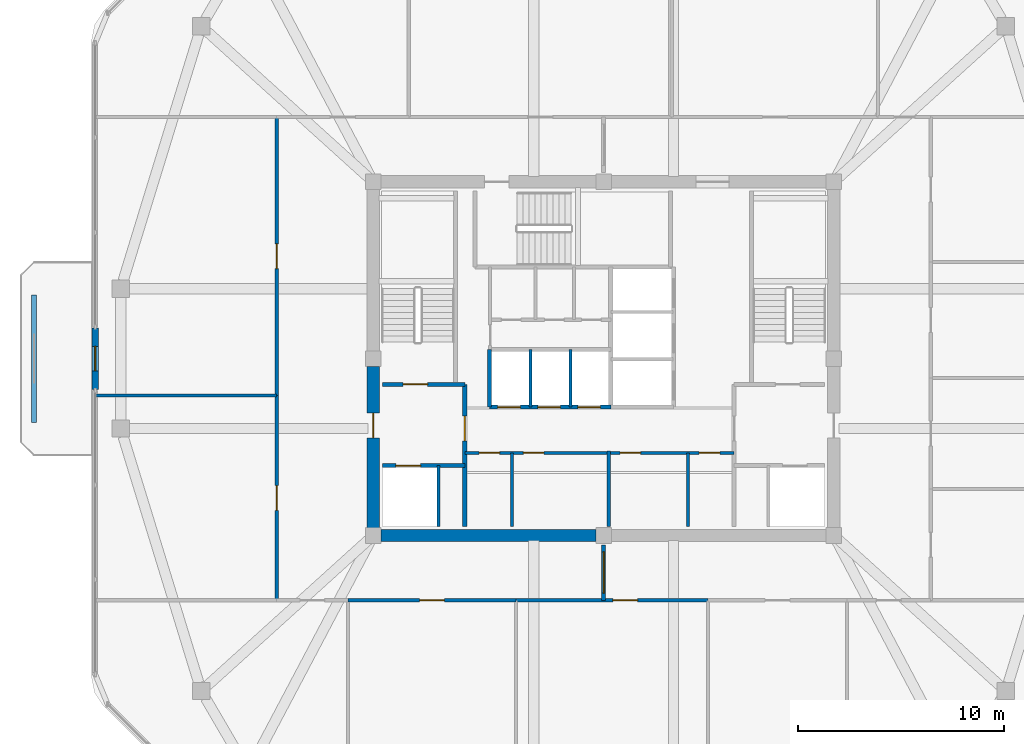
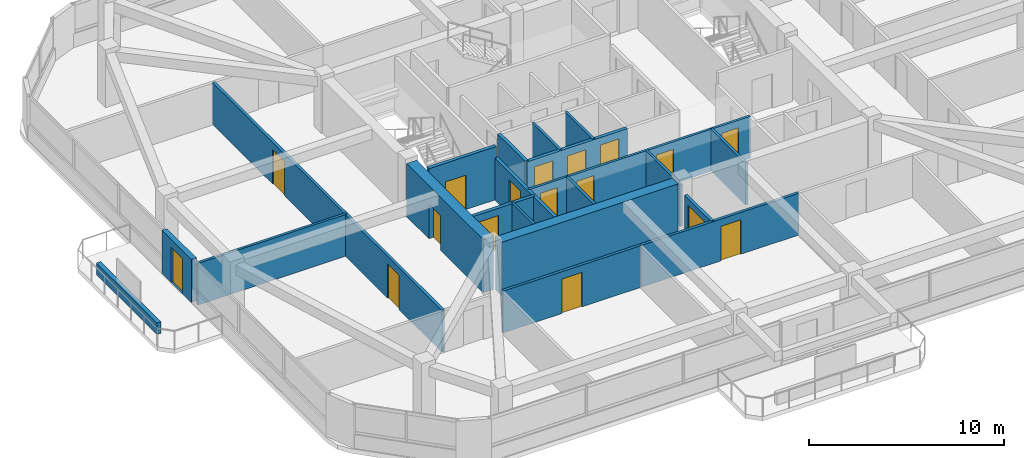
# One storey, part 8 of 12: 23 walls, 17 doors, 17 openings.
"""IFC4 building model written with IfcOpenShell, lengths in metres."""

from ifc_helpers import new_model, si_unit, derived_unit, direction, frame, frame_2d, origin, place, context, subcontext, project, spatial, rectangle, extrude, material, layer, layer_set, type_object, element, fill, save


model = new_model("IFC4")

# Units and contexts
model_context = context("Model", 3, precision=1e-05, world=origin(), true_north=direction((0.0, 1.0)))
body_context = subcontext(model_context, "Body", "Model", "MODEL_VIEW")
ifc_project = project(units=[si_unit("LENGTHUNIT", "METRE"), si_unit("AREAUNIT", "SQUARE_METRE"), si_unit("VOLUMEUNIT", "CUBIC_METRE"), si_unit("PLANEANGLEUNIT", "RADIAN"), si_unit("MASSUNIT", "GRAM", prefix="KILO"), derived_unit("THERMALTRANSMITTANCEUNIT", [(si_unit("POWERUNIT", "WATT"), 1), (si_unit("LENGTHUNIT", "METRE"), -2), (si_unit("THERMODYNAMICTEMPERATUREUNIT", "KELVIN"), -1)])], contexts=[model_context])

# Site, building, storey
site_placement = place(None, origin())
site = spatial("IfcSite", under=ifc_project, at=site_placement, CompositionType="ELEMENT")
building_placement = place(site_placement, origin())
building = spatial("IfcBuilding", under=site, at=building_placement, Name="Koralith Skygarden Medical Center", CompositionType="ELEMENT")
storey_placement = place(building_placement, frame((0.0, 0.0, 278.820068359375)))
storey = spatial("IfcBuildingStorey", under=building, at=storey_placement, Name="L72", CompositionType="ELEMENT", Elevation=278.820068359375)

# Wall, openings, doors
ifc_material_1 = material(Name="Gypsum Board Partition")
ifc_layer_1 = layer(ifc_material_1, 0.14990234375)
ifc_layer_set_1 = layer_set([ifc_layer_1], Name="Gypsum Board Partition")
wall_type_1 = type_object("IfcWallType", Name="Clinical Acoustic Partition 150", PredefinedType="PARTITIONING", material=ifc_layer_set_1)
wall_1_placement = place(storey_placement, frame((30.25, 21.320068359375, 0.0), z_axis=(0.0, 0.0, 1.0), x_axis=(1.0, 0.0, 0.0)))
wall_1 = element("IfcWall", 1, at=wall_1_placement, inside=storey, type_object=wall_type_1, Name="L72 Clinical Acoustic Partition 150 W-CORE-L72-FREED-LR-N", PredefinedType="PARTITIONING", context=body_context, shape_type="SweptSolid", body=[
    extrude(rectangle(XDim=7.0, YDim=0.14990234375, at=frame_2d((3.5, 0.0))), origin(), (0.0, 0.0, 1.0), 2.60986328125),
])
opening_1_placement = place(wall_1_placement, frame((0.699951171875, 0.0, 0.0)))
opening_1 = element("IfcOpeningElement", 2, at=opening_1_placement, cuts=wall_1, Name="Opening D-SUP", PredefinedType="OPENING", context=body_context, shape_type="SweptSolid", body=[
    extrude(rectangle(XDim=1.0, YDim=2.14990234375, at=frame_2d((0.5, 1.074951171875))), frame((0.0, 0.0849609375, 0.0), z_axis=(0.0, -1.0, 0.0), x_axis=(1.0, 0.0, 0.0)), (0.0, 0.0, 1.0), 0.169921875),
])
opening_2_placement = place(wall_1_placement, frame((2.85009765625, 0.0, 0.0)))
opening_2 = element("IfcOpeningElement", 3, at=opening_2_placement, cuts=wall_1, Name="Opening D-SUP", PredefinedType="OPENING", context=body_context, shape_type="SweptSolid", body=[
    extrude(rectangle(XDim=1.0, YDim=2.14990234375, at=frame_2d((0.5, 1.074951171875))), frame((0.0, 0.0849609375, 0.0), z_axis=(0.0, -1.0, 0.0), x_axis=(1.0, 0.0, 0.0)), (0.0, 0.0, 1.0), 0.169921875),
])
ifc_material_2 = material(Name="Aluminium 6063-T6", Category="aluminium")
door_type_1 = type_object("IfcDoorType", Name="Clinical Support Door D-SUP 1000", OperationType="NOTDEFINED", PredefinedType="DOOR", material=ifc_material_2)
door_1_placement = place(opening_1_placement, frame((1.0, 0.0, 0.0), z_axis=(0.0, 0.0, 1.0), x_axis=(-1.0, 0.0, 0.0)))
door_1 = element("IfcDoor", 4, at=door_1_placement, inside=storey, type_object=door_type_1, Name="L72 Medication Preparation Door", OperationType="SINGLE_SWING_LEFT", OverallHeight=2.14990234375, OverallWidth=1.0, PredefinedType="DOOR", context=body_context, shape_type="SweptSolid", body=[
    extrude(rectangle(XDim=1.0, YDim=2.14990234375, at=frame_2d((0.5, 1.074951171875))), frame((0.0, 0.02490234375, 0.0), z_axis=(0.0, -1.0, 0.0), x_axis=(1.0, 0.0, 0.0)), (0.0, 0.0, 1.0), 0.050048828125),
])
fill(opening_1, door_1)
door_2_placement = place(opening_2_placement, frame((1.0, 0.0, 0.0), z_axis=(0.0, 0.0, 1.0), x_axis=(-1.0, 0.0, 0.0)))
door_2 = element("IfcDoor", 5, at=door_2_placement, inside=storey, type_object=door_type_1, Name="L72 Telemetry Room Door", OperationType="SINGLE_SWING_RIGHT", OverallHeight=2.14990234375, OverallWidth=1.0, PredefinedType="DOOR", context=body_context, shape_type="SweptSolid", body=[
    extrude(rectangle(XDim=1.0, YDim=2.14990234375, at=frame_2d((0.5, 1.074951171875))), frame((0.0, 0.02490234375, 0.0), z_axis=(0.0, -1.0, 0.0), x_axis=(1.0, 0.0, 0.0)), (0.0, 0.0, 1.0), 0.050048828125),
])
fill(opening_2, door_2)

# Wall
wall_2_placement = place(storey_placement, frame((32.550048828125, 17.75, 0.0), z_axis=(0.0, 0.0, 1.0), x_axis=(0.0, 1.0, 0.0)))
element("IfcWall", 6, at=wall_2_placement, inside=storey, type_object=wall_type_1, Name="L72 Clinical Acoustic Partition 150 W-CORE-L72-FREED-LR-M", PredefinedType="PARTITIONING", context=body_context, shape_type="SweptSolid", body=[
    extrude(rectangle(XDim=3.570068359375, YDim=0.14990234375, at=frame_2d((1.78515625, 0.0))), origin(), (0.0, 0.0, 1.0), 2.60986328125),
])

# Wall, openings, doors
wall_3_placement = place(storey_placement, frame((37.25, 21.320068359375, 0.0), z_axis=(0.0, 0.0, 1.0), x_axis=(1.0, 0.0, 0.0)))
wall_3 = element("IfcWall", 7, at=wall_3_placement, inside=storey, type_object=wall_type_1, Name="L72 Clinical Acoustic Partition 150 W-CORE-L72-FREED-MR-N", PredefinedType="PARTITIONING", context=body_context, shape_type="SweptSolid", body=[
    extrude(rectangle(XDim=6.10009765625, YDim=0.14990234375, at=frame_2d((3.050048828125, 0.0))), origin(), (0.0, 0.0, 1.0), 2.60986328125),
])
opening_3_placement = place(wall_3_placement, frame((0.550048828125, 0.0, 0.0)))
opening_3 = element("IfcOpeningElement", 8, at=opening_3_placement, cuts=wall_3, Name="Opening D-SUP", PredefinedType="OPENING", context=body_context, shape_type="SweptSolid", body=[
    extrude(rectangle(XDim=1.0, YDim=2.14990234375, at=frame_2d((0.5, 1.074951171875))), frame((0.0, 0.0849609375, 0.0), z_axis=(0.0, -1.0, 0.0), x_axis=(1.0, 0.0, 0.0)), (0.0, 0.0, 1.0), 0.169921875),
])
opening_4_placement = place(wall_3_placement, frame((4.39990234375, 0.0, 0.0)))
opening_4 = element("IfcOpeningElement", 9, at=opening_4_placement, cuts=wall_3, Name="Opening D-SUP", PredefinedType="OPENING", context=body_context, shape_type="SweptSolid", body=[
    extrude(rectangle(XDim=1.0, YDim=2.14990234375, at=frame_2d((0.5, 1.074951171875))), frame((0.0, 0.0849609375, 0.0), z_axis=(0.0, -1.0, 0.0), x_axis=(1.0, 0.0, 0.0)), (0.0, 0.0, 1.0), 0.169921875),
])
door_3_placement = place(opening_3_placement, frame((1.0, 0.0, 0.0), z_axis=(0.0, 0.0, 1.0), x_axis=(-1.0, 0.0, 0.0)))
door_3 = element("IfcDoor", 10, at=door_3_placement, inside=storey, type_object=door_type_1, Name="L72 Satellite Pharmacy Door", OperationType="SINGLE_SWING_LEFT", OverallHeight=2.14990234375, OverallWidth=1.0, PredefinedType="DOOR", context=body_context, shape_type="SweptSolid", body=[
    extrude(rectangle(XDim=1.0, YDim=2.14990234375, at=frame_2d((0.5, 1.074951171875))), frame((0.0, 0.02490234375, 0.0), z_axis=(0.0, -1.0, 0.0), x_axis=(1.0, 0.0, 0.0)), (0.0, 0.0, 1.0), 0.050048828125),
])
fill(opening_3, door_3)
door_4_placement = place(opening_4_placement, frame((1.0, 0.0, 0.0), z_axis=(0.0, 0.0, 1.0), x_axis=(-1.0, 0.0, 0.0)))
door_4 = element("IfcDoor", 11, at=door_4_placement, inside=storey, type_object=door_type_1, Name="L72 Biomedical Equipment Door", OperationType="SINGLE_SWING_RIGHT", OverallHeight=2.14990234375, OverallWidth=1.0, PredefinedType="DOOR", context=body_context, shape_type="SweptSolid", body=[
    extrude(rectangle(XDim=1.0, YDim=2.14990234375, at=frame_2d((0.5, 1.074951171875))), frame((0.0, 0.02490234375, 0.0), z_axis=(0.0, -1.0, 0.0), x_axis=(1.0, 0.0, 0.0)), (0.0, 0.0, 1.0), 0.050048828125),
])
fill(opening_4, door_4)

# Walls
wall_4_placement = place(storey_placement, frame((41.10009765625, 17.75, 0.0), z_axis=(0.0, 0.0, 1.0), x_axis=(0.0, 1.0, 0.0)))
element("IfcWall", 12, at=wall_4_placement, inside=storey, type_object=wall_type_1, Name="L72 Clinical Acoustic Partition 150 W-CORE-L72-FREED-MR-M", PredefinedType="PARTITIONING", context=body_context, shape_type="SweptSolid", body=[
    extrude(rectangle(XDim=3.570068359375, YDim=0.14990234375, at=frame_2d((1.78515625, 0.0))), origin(), (0.0, 0.0, 1.0), 2.60986328125),
])
wall_5_placement = place(storey_placement, frame((21.10009765625, 24.10009765625, 0.0), z_axis=(0.0, 0.0, 1.0), x_axis=(-1.0, 0.0, 0.0)))
element("IfcWall", 13, at=wall_5_placement, inside=storey, type_object=wall_type_1, Name="L72 Clinical Acoustic Partition 150 W-PART-L72-W-01", PredefinedType="PARTITIONING", context=body_context, shape_type="SweptSolid", body=[
    extrude(rectangle(XDim=8.800048828125, YDim=0.14990234375, at=frame_2d((4.39990234375, 0.0))), origin(), (0.0, 0.0, 1.0), 2.60986328125),
])

# Wall, opening, door
ifc_layer_2 = layer(ifc_material_1, 0.1650390625)
ifc_layer_set_2 = layer_set([ifc_layer_2], Name="Gypsum Board Partition")
wall_type_2 = type_object("IfcWallType", Name="Clinical Corridor Partition 165", PredefinedType="PARTITIONING", material=ifc_layer_set_2)
wall_6_placement = place(storey_placement, frame((24.58203125, 14.14990234375, 0.0), z_axis=(0.0, 0.0, 1.0), x_axis=(1.0, 0.0, 0.0)))
wall_6 = element("IfcWall", 14, at=wall_6_placement, inside=storey, type_object=wall_type_2, Name="L72 Clinical Corridor Partition 165 W-CORR-L72-S-02", PredefinedType="PARTITIONING", context=body_context, shape_type="SweptSolid", body=[
    extrude(rectangle(XDim=8.156005859375, YDim=0.1650390625, at=frame_2d((4.078125, 0.0))), origin(), (0.0, 0.0, 1.0), 2.60986328125),
])
opening_5_placement = place(wall_6_placement, frame((3.47802734375, 0.0, 0.0)))
opening_5 = element("IfcOpeningElement", 15, at=opening_5_placement, cuts=wall_6, Name="Opening D-CLN", PredefinedType="OPENING", context=body_context, shape_type="SweptSolid", body=[
    extrude(rectangle(XDim=1.199951171875, YDim=2.14990234375, at=frame_2d((0.60009765625, 1.074951171875))), frame((0.0, 0.092529296875, 0.0), z_axis=(0.0, -1.0, 0.0), x_axis=(1.0, 0.0, 0.0)), (0.0, 0.0, 1.0), 0.18505859375),
])
door_type_2 = type_object("IfcDoorType", Name="Clinical Corridor Door D-CLN 1200", OperationType="NOTDEFINED", PredefinedType="DOOR", material=ifc_material_2)
door_5_placement = place(opening_5_placement, frame((1.199951171875, 0.0, 0.0), z_axis=(0.0, 0.0, 1.0), x_axis=(-1.0, 0.0, 0.0)))
door_5 = element("IfcDoor", 16, at=door_5_placement, inside=storey, type_object=door_type_2, Name="L72 Hospital Quality Huddle Room 06 Door", OperationType="SINGLE_SWING_LEFT", OverallHeight=2.14990234375, OverallWidth=1.199951171875, PredefinedType="DOOR", context=body_context, shape_type="SweptSolid", body=[
    extrude(rectangle(XDim=1.199951171875, YDim=2.14990234375, at=frame_2d((0.60009765625, 1.074951171875))), frame((0.0, 0.02490234375, 0.0), z_axis=(0.0, -1.0, 0.0), x_axis=(1.0, 0.0, 0.0)), (0.0, 0.0, 1.0), 0.050048828125),
])
fill(opening_5, door_5)

wall_7_placement = place(storey_placement, frame((32.738037109375, 14.14990234375, 0.0), z_axis=(0.0, 0.0, 1.0), x_axis=(1.0, 0.0, 0.0)))
wall_7 = element("IfcWall", 17, at=wall_7_placement, inside=storey, type_object=wall_type_2, Name="L72 Clinical Corridor Partition 165 W-CORR-L72-S-03", PredefinedType="PARTITIONING", context=body_context, shape_type="SweptSolid", body=[
    extrude(rectangle(XDim=9.3388671875, YDim=0.1650390625, at=frame_2d((4.66943359375, 0.0))), origin(), (0.0, 0.0, 1.0), 2.60986328125),
])
opening_6_placement = place(wall_7_placement, frame((4.712890625, 0.0, 0.0)))
opening_6 = element("IfcOpeningElement", 18, at=opening_6_placement, cuts=wall_7, Name="Opening D-CLN", PredefinedType="OPENING", context=body_context, shape_type="SweptSolid", body=[
    extrude(rectangle(XDim=1.199951171875, YDim=2.14990234375, at=frame_2d((0.60009765625, 1.074951171875))), frame((0.0, 0.092529296875, 0.0), z_axis=(0.0, -1.0, 0.0), x_axis=(1.0, 0.0, 0.0)), (0.0, 0.0, 1.0), 0.18505859375),
])
door_6_placement = place(opening_6_placement, frame((1.199951171875, 0.0, 0.0), z_axis=(0.0, 0.0, 1.0), x_axis=(-1.0, 0.0, 0.0)))
door_6 = element("IfcDoor", 19, at=door_6_placement, inside=storey, type_object=door_type_2, Name="L72 Patient and Family Sky-Garden Day Lounge 07 Door", OperationType="SINGLE_SWING_RIGHT", OverallHeight=2.14990234375, OverallWidth=1.199951171875, PredefinedType="DOOR", context=body_context, shape_type="SweptSolid", body=[
    extrude(rectangle(XDim=1.199951171875, YDim=2.14990234375, at=frame_2d((0.60009765625, 1.074951171875))), frame((0.0, 0.02490234375, 0.0), z_axis=(0.0, -1.0, 0.0), x_axis=(1.0, 0.0, 0.0)), (0.0, 0.0, 1.0), 0.050048828125),
])
fill(opening_6, door_6)

wall_8_placement = place(storey_placement, frame((21.10009765625, 14.14990234375, 0.0), z_axis=(0.0, 0.0, 1.0), x_axis=(0.0, 1.0, 0.0)))
wall_8 = element("IfcWall", 20, at=wall_8_placement, inside=storey, type_object=wall_type_2, Name="L72 Clinical Corridor Partition 165 W-CORR-L72-W-01", PredefinedType="PARTITIONING", context=body_context, shape_type="SweptSolid", body=[
    extrude(rectangle(XDim=9.9501953125, YDim=0.1650390625, at=frame_2d((4.97509765625, 0.0))), origin(), (0.0, 0.0, 1.0), 2.60986328125),
])
opening_7_placement = place(wall_8_placement, frame((4.375, 0.0, 0.0)))
opening_7 = element("IfcOpeningElement", 21, at=opening_7_placement, cuts=wall_8, Name="Opening D-CLN", PredefinedType="OPENING", context=body_context, shape_type="SweptSolid", body=[
    extrude(rectangle(XDim=1.199951171875, YDim=2.14990234375, at=frame_2d((0.60009765625, 1.074951171875))), frame((0.0, 0.092529296875, 0.0), z_axis=(0.0, -1.0, 0.0), x_axis=(1.0, 0.0, 0.0)), (0.0, 0.0, 1.0), 0.18505859375),
])
door_7_placement = place(opening_7_placement, frame((1.199951171875, 0.0, 0.0), z_axis=(0.0, 0.0, 1.0), x_axis=(-1.0, 0.0, 0.0)))
door_7 = element("IfcDoor", 22, at=door_7_placement, inside=storey, type_object=door_type_2, Name="L72 Ethics Committee Conference Room 10 Door", OperationType="SINGLE_SWING_LEFT", OverallHeight=2.14990234375, OverallWidth=1.199951171875, PredefinedType="DOOR", context=body_context, shape_type="SweptSolid", body=[
    extrude(rectangle(XDim=1.199951171875, YDim=2.14990234375, at=frame_2d((0.60009765625, 1.074951171875))), frame((0.0, 0.02490234375, 0.0), z_axis=(0.0, -1.0, 0.0), x_axis=(1.0, 0.0, 0.0)), (0.0, 0.0, 1.0), 0.050048828125),
])
fill(opening_7, door_7)

wall_9_placement = place(storey_placement, frame((21.10009765625, 24.10009765625, 0.0), z_axis=(0.0, 0.0, 1.0), x_axis=(0.0, 1.0, 0.0)))
wall_9 = element("IfcWall", 23, at=wall_9_placement, inside=storey, type_object=wall_type_2, Name="L72 Clinical Corridor Partition 165 W-CORR-L72-W-02", PredefinedType="PARTITIONING", context=body_context, shape_type="SweptSolid", body=[
    extrude(rectangle(XDim=13.5498046875, YDim=0.1650390625, at=frame_2d((6.77490234375, 0.0))), origin(), (0.0, 0.0, 1.0), 2.60986328125),
])
opening_8_placement = place(wall_9_placement, frame((6.175048828125, 0.0, 0.0)))
opening_8 = element("IfcOpeningElement", 24, at=opening_8_placement, cuts=wall_9, Name="Opening D-CLN", PredefinedType="OPENING", context=body_context, shape_type="SweptSolid", body=[
    extrude(rectangle(XDim=1.199951171875, YDim=2.14990234375, at=frame_2d((0.60009765625, 1.074951171875))), frame((0.0, 0.092529296875, 0.0), z_axis=(0.0, -1.0, 0.0), x_axis=(1.0, 0.0, 0.0)), (0.0, 0.0, 1.0), 0.18505859375),
])
door_8_placement = place(opening_8_placement, frame((1.199951171875, 0.0, 0.0), z_axis=(0.0, 0.0, 1.0), x_axis=(-1.0, 0.0, 0.0)))
door_8 = element("IfcDoor", 25, at=door_8_placement, inside=storey, type_object=door_type_2, Name="L72 Patient and Family Sky-Garden Day Lounge 11 Door", OperationType="SINGLE_SWING_RIGHT", OverallHeight=2.14990234375, OverallWidth=1.199951171875, PredefinedType="DOOR", context=body_context, shape_type="SweptSolid", body=[
    extrude(rectangle(XDim=1.199951171875, YDim=2.14990234375, at=frame_2d((0.60009765625, 1.074951171875))), frame((0.0, 0.02490234375, 0.0), z_axis=(0.0, -1.0, 0.0), x_axis=(1.0, 0.0, 0.0)), (0.0, 0.0, 1.0), 0.050048828125),
])
fill(opening_8, door_8)

ifc_layer_3 = layer(ifc_material_1, 0.199951171875)
ifc_layer_set_3 = layer_set([ifc_layer_3], Name="Gypsum Board Partition")
wall_type_3 = type_object("IfcWallType", Name="Fire Shaft Wall 200", PredefinedType="SOLIDWALL", material=ifc_layer_set_3)
wall_10_placement = place(storey_placement, frame((26.25, 20.699951171875, 0.0), z_axis=(0.0, 0.0, 1.0), x_axis=(1.0, 0.0, 0.0)))
wall_10 = element("IfcWall", 26, at=wall_10_placement, inside=storey, type_object=wall_type_3, Name="L72 Fire Shaft Wall 200 W-CORE-L72-FF1-N", PredefinedType="SOLIDWALL", context=body_context, shape_type="SweptSolid", body=[
    extrude(rectangle(XDim=4.0, YDim=0.199951171875, at=frame_2d((2.0, 0.0))), origin(), (0.0, 0.0, 1.0), 2.60986328125),
])
opening_9_placement = place(wall_10_placement, frame((0.64990234375, 0.0, 0.0)))
opening_9 = element("IfcOpeningElement", 27, at=opening_9_placement, cuts=wall_10, Name="Opening LD-FF", PredefinedType="OPENING", context=body_context, shape_type="SweptSolid", body=[
    extrude(rectangle(XDim=1.199951171875, YDim=2.14990234375, at=frame_2d((0.60009765625, 1.074951171875))), frame((0.0, 0.10986328125, 0.0), z_axis=(0.0, -1.0, 0.0), x_axis=(1.0, 0.0, 0.0)), (0.0, 0.0, 1.0), 0.219970703125),
])
ifc_material_3 = material(Name="Steel ASTM A500 Grade C", Category="steel")
door_type_3 = type_object("IfcDoorType", Name="Fire Lift Sliding Landing Door LD-FF 1200", OperationType="NOTDEFINED", PredefinedType="DOOR", material=ifc_material_3)
door_9_placement = place(opening_9_placement, origin())
door_9 = element("IfcDoor", 28, at=door_9_placement, inside=storey, type_object=door_type_3, Name="L72 Fire Service Elevator FF1 Landing Door", OperationType="SLIDING_TO_LEFT", OverallHeight=2.14990234375, OverallWidth=1.199951171875, PredefinedType="DOOR", context=body_context, shape_type="SweptSolid", body=[
    extrude(rectangle(XDim=1.199951171875, YDim=2.14990234375, at=frame_2d((0.60009765625, 1.074951171875))), frame((0.0, 0.02490234375, 0.0), z_axis=(0.0, -1.0, 0.0), x_axis=(1.0, 0.0, 0.0)), (0.0, 0.0, 1.0), 0.050048828125),
])
fill(opening_9, door_9)

wall_11_placement = place(storey_placement, frame((30.25, 17.75, 0.0), z_axis=(0.0, 0.0, 1.0), x_axis=(0.0, 1.0, 0.0)))
wall_11 = element("IfcWall", 29, at=wall_11_placement, inside=storey, type_object=wall_type_3, Name="L72 Fire Shaft Wall 200 W-CORE-L72-FSAEW-E", PredefinedType="SOLIDWALL", context=body_context, shape_type="SweptSolid", body=[
    extrude(rectangle(XDim=6.89990234375, YDim=0.199951171875, at=frame_2d((3.449951171875, 0.0))), origin(), (0.0, 0.0, 1.0), 2.60986328125),
])
opening_10_placement = place(wall_11_placement, frame((4.14990234375, 0.0, 0.0)))
opening_10 = element("IfcOpeningElement", 30, at=opening_10_placement, cuts=wall_11, Name="Opening D-ST60", PredefinedType="OPENING", context=body_context, shape_type="SweptSolid", body=[
    extrude(rectangle(XDim=1.199951171875, YDim=2.14990234375, at=frame_2d((0.60009765625, 1.074951171875))), frame((0.0, 0.10986328125, 0.0), z_axis=(0.0, -1.0, 0.0), x_axis=(1.0, 0.0, 0.0)), (0.0, 0.0, 1.0), 0.219970703125),
])
door_type_4 = type_object("IfcDoorType", Name="Smokeproof Stair Fire Door FD60S 1200", OperationType="NOTDEFINED", PredefinedType="DOOR", material=ifc_material_3)
door_10_placement = place(opening_10_placement, origin())
door_10 = element("IfcDoor", 31, at=door_10_placement, inside=storey, type_object=door_type_4, Name="L72 West Firefighting Lobby Inner Fire Door", OperationType="SINGLE_SWING_LEFT", OverallHeight=2.14990234375, OverallWidth=1.199951171875, PredefinedType="DOOR", context=body_context, shape_type="SweptSolid", body=[
    extrude(rectangle(XDim=1.199951171875, YDim=2.14990234375, at=frame_2d((0.60009765625, 1.074951171875))), frame((0.0, 0.02490234375, 0.0), z_axis=(0.0, -1.0, 0.0), x_axis=(1.0, 0.0, 0.0)), (0.0, 0.0, 1.0), 0.050048828125),
])
fill(opening_10, door_10)

# Wall, openings, doors
wall_12_placement = place(storey_placement, frame((31.449951171875, 23.5400390625, 0.0), z_axis=(0.0, 0.0, 1.0), x_axis=(1.0, 0.0, 0.0)))
wall_12 = element("IfcWall", 32, at=wall_12_placement, inside=storey, type_object=wall_type_3, Name="L72 Fire Shaft Wall 200 W-CORE-L72-PH-S", PredefinedType="SOLIDWALL", context=body_context, shape_type="SweptSolid", body=[
    extrude(rectangle(XDim=5.900146484375, YDim=0.199951171875, at=frame_2d((2.9501953125, 0.0))), origin(), (0.0, 0.0, 1.0), 2.60986328125),
])
opening_11_placement = place(wall_12_placement, frame((0.39990234375, 0.0, 0.0)))
opening_11 = element("IfcOpeningElement", 33, at=opening_11_placement, cuts=wall_12, Name="Opening LD-P", PredefinedType="OPENING", context=body_context, shape_type="SweptSolid", body=[
    extrude(rectangle(XDim=1.10009765625, YDim=2.14990234375, at=frame_2d((0.550048828125, 1.074951171875))), frame((0.0, 0.10986328125, 0.0), z_axis=(0.0, -1.0, 0.0), x_axis=(1.0, 0.0, 0.0)), (0.0, 0.0, 1.0), 0.219970703125),
])
opening_12_placement = place(wall_12_placement, frame((2.35009765625, 0.0, 0.0)))
opening_12 = element("IfcOpeningElement", 34, at=opening_12_placement, cuts=wall_12, Name="Opening LD-P", PredefinedType="OPENING", context=body_context, shape_type="SweptSolid", body=[
    extrude(rectangle(XDim=1.10009765625, YDim=2.14990234375, at=frame_2d((0.550048828125, 1.074951171875))), frame((0.0, 0.10986328125, 0.0), z_axis=(0.0, -1.0, 0.0), x_axis=(1.0, 0.0, 0.0)), (0.0, 0.0, 1.0), 0.219970703125),
])
opening_13_placement = place(wall_12_placement, frame((4.300048828125, 0.0, 0.0)))
opening_13 = element("IfcOpeningElement", 35, at=opening_13_placement, cuts=wall_12, Name="Opening LD-P", PredefinedType="OPENING", context=body_context, shape_type="SweptSolid", body=[
    extrude(rectangle(XDim=1.10009765625, YDim=2.14990234375, at=frame_2d((0.550048828125, 1.074951171875))), frame((0.0, 0.10986328125, 0.0), z_axis=(0.0, -1.0, 0.0), x_axis=(1.0, 0.0, 0.0)), (0.0, 0.0, 1.0), 0.219970703125),
])
door_type_5 = type_object("IfcDoorType", Name="Passenger Lift Sliding Landing Door LD-P 1100", OperationType="NOTDEFINED", PredefinedType="DOOR", material=ifc_material_3)
door_11_placement = place(opening_11_placement, origin())
door_11 = element("IfcDoor", 36, at=door_11_placement, inside=storey, type_object=door_type_5, Name="L72 Passenger Elevator PH1 Landing Door", OperationType="SLIDING_TO_RIGHT", OverallHeight=2.14990234375, OverallWidth=1.10009765625, PredefinedType="DOOR", context=body_context, shape_type="SweptSolid", body=[
    extrude(rectangle(XDim=1.10009765625, YDim=2.14990234375, at=frame_2d((0.550048828125, 1.074951171875))), frame((0.0, 0.02490234375, 0.0), z_axis=(0.0, -1.0, 0.0), x_axis=(1.0, 0.0, 0.0)), (0.0, 0.0, 1.0), 0.050048828125),
])
fill(opening_11, door_11)
door_12_placement = place(opening_12_placement, origin())
door_12 = element("IfcDoor", 37, at=door_12_placement, inside=storey, type_object=door_type_5, Name="L72 Passenger Elevator PH2 Landing Door", OperationType="SLIDING_TO_RIGHT", OverallHeight=2.14990234375, OverallWidth=1.10009765625, PredefinedType="DOOR", context=body_context, shape_type="SweptSolid", body=[
    extrude(rectangle(XDim=1.10009765625, YDim=2.14990234375, at=frame_2d((0.550048828125, 1.074951171875))), frame((0.0, 0.02490234375, 0.0), z_axis=(0.0, -1.0, 0.0), x_axis=(1.0, 0.0, 0.0)), (0.0, 0.0, 1.0), 0.050048828125),
])
fill(opening_12, door_12)
door_13_placement = place(opening_13_placement, origin())
door_13 = element("IfcDoor", 38, at=door_13_placement, inside=storey, type_object=door_type_5, Name="L72 Passenger Elevator PH3 Landing Door", OperationType="SLIDING_TO_RIGHT", OverallHeight=2.14990234375, OverallWidth=1.10009765625, PredefinedType="DOOR", context=body_context, shape_type="SweptSolid", body=[
    extrude(rectangle(XDim=1.10009765625, YDim=2.14990234375, at=frame_2d((0.550048828125, 1.074951171875))), frame((0.0, 0.02490234375, 0.0), z_axis=(0.0, -1.0, 0.0), x_axis=(1.0, 0.0, 0.0)), (0.0, 0.0, 1.0), 0.050048828125),
])
fill(opening_13, door_13)

# Wall
wall_13_placement = place(storey_placement, frame((31.449951171875, 23.5400390625, 0.0), z_axis=(0.0, 0.0, 1.0), x_axis=(0.0, 1.0, 0.0)))
element("IfcWall", 39, at=wall_13_placement, inside=storey, type_object=wall_type_3, Name="L72 Fire Shaft Wall 200 W-CORE-L72-PH-W", PredefinedType="SOLIDWALL", context=body_context, shape_type="SweptSolid", body=[
    extrude(rectangle(XDim=2.81005859375, YDim=0.199951171875, at=frame_2d((1.405029296875, 0.0))), origin(), (0.0, 0.0, 1.0), 2.60986328125),
])

# Wall, opening, door
ifc_layer_4 = layer(ifc_material_1, 0.179931640625)
ifc_layer_set_4 = layer_set([ifc_layer_4], Name="Gypsum Board Partition")
wall_type_4 = type_object("IfcWallType", Name="Group I-2 Smoke Barrier Wall 180", PredefinedType="PARTITIONING", material=ifc_layer_set_4)
wall_14_placement = place(storey_placement, frame((37.0, 14.14990234375, 0.0), z_axis=(0.0, 0.0, 1.0), x_axis=(0.0, 1.0, 0.0)))
wall_14 = element("IfcWall", 40, at=wall_14_placement, inside=storey, type_object=wall_type_4, Name="L72 Group I-2 Smoke Barrier Wall 180 W-SMK-L72-S", PredefinedType="PARTITIONING", context=body_context, shape_type="SweptSolid", body=[
    extrude(rectangle(XDim=2.7001953125, YDim=0.179931640625, at=frame_2d((1.35009765625, 0.0))), origin(), (0.0, 0.0, 1.0), 2.60986328125),
])
opening_14_placement = place(wall_14_placement, frame((0.35009765625, 0.0, 0.0)))
opening_14 = element("IfcOpeningElement", 41, at=opening_14_placement, cuts=wall_14, Name="Opening D-SMK", PredefinedType="OPENING", context=body_context, shape_type="SweptSolid", body=[
    extrude(rectangle(XDim=2.0, YDim=2.199951171875, at=frame_2d((1.0, 1.10009765625))), frame((0.0, 0.099853515625, 0.0), z_axis=(0.0, -1.0, 0.0), x_axis=(1.0, 0.0, 0.0)), (0.0, 0.0, 1.0), 0.199951171875),
])
door_type_6 = type_object("IfcDoorType", Name="Cross-Corridor Double Smoke Door FD60S 2000", OperationType="NOTDEFINED", PredefinedType="DOOR", material=ifc_material_3)
door_14_placement = place(opening_14_placement, frame((2.0, 0.0, 0.0), z_axis=(0.0, 0.0, 1.0), x_axis=(-1.0, 0.0, 0.0)))
door_14 = element("IfcDoor", 42, at=door_14_placement, inside=storey, type_object=door_type_6, Name="L72 S Smoke Compartment Cross-Corridor Door", OperationType="DOUBLE_DOOR_SINGLE_SWING", OverallHeight=2.199951171875, OverallWidth=2.0, PredefinedType="DOOR", context=body_context, shape_type="SweptSolid", body=[
    extrude(rectangle(XDim=2.0, YDim=2.199951171875, at=frame_2d((1.0, 1.10009765625))), frame((0.0, 0.02490234375, 0.0), z_axis=(0.0, -1.0, 0.0), x_axis=(1.0, 0.0, 0.0)), (0.0, 0.0, 1.0), 0.050048828125),
])
fill(opening_14, door_14)

ifc_material_4 = material(Name="Warm Oolitic Limestone Cladding", Category="masonry")
ifc_layer_5 = layer(ifc_material_4, 0.300048828125)
ifc_layer_set_5 = layer_set([ifc_layer_5], Name="Warm Oolitic Limestone Cladding")
wall_type_5 = type_object("IfcWallType", Name="Oolitic Limestone Insulated Facade Wall 300", PredefinedType="SOLIDWALL", material=ifc_layer_set_5)
wall_15_placement = place(storey_placement, frame((12.280029296875, 27.39990234375, 0.0), z_axis=(0.0, 0.0, 1.0), x_axis=(0.0, -1.0, 0.0)))
wall_15 = element("IfcWall", 43, at=wall_15_placement, inside=storey, type_object=wall_type_5, Name="L72 Terrace Portal Wall W", PredefinedType="SOLIDWALL", context=body_context, shape_type="SweptSolid", body=[
    extrude(rectangle(XDim=3.0, YDim=0.300048828125, at=frame_2d((1.5, 0.0))), origin(), (0.0, 0.0, 1.0), 2.68994140625),
])
opening_15_placement = place(wall_15_placement, frame((0.89990234375, 0.0, 0.0)))
opening_15 = element("IfcOpeningElement", 44, at=opening_15_placement, cuts=wall_15, Name="Opening D-BAL", PredefinedType="OPENING", context=body_context, shape_type="SweptSolid", body=[
    extrude(rectangle(XDim=1.199951171875, YDim=2.199951171875, at=frame_2d((0.60009765625, 1.10009765625))), frame((0.0, 0.159912109375, 0.0), z_axis=(0.0, -1.0, 0.0), x_axis=(1.0, 0.0, 0.0)), (0.0, 0.0, 1.0), 0.320068359375),
])
door_type_7 = type_object("IfcDoorType", Name="Planted Balcony Glazed Terrace Door D-BAL 1200", OperationType="NOTDEFINED", PredefinedType="DOOR", material=ifc_material_2)
door_15_placement = place(opening_15_placement, origin())
door_15 = element("IfcDoor", 45, at=door_15_placement, inside=storey, type_object=door_type_7, Name="L72 W Outdoor Terrace Access Door", OperationType="SINGLE_SWING_LEFT", OverallHeight=2.199951171875, OverallWidth=1.199951171875, PredefinedType="DOOR", context=body_context, shape_type="SweptSolid", body=[
    extrude(rectangle(XDim=1.199951171875, YDim=2.199951171875, at=frame_2d((0.60009765625, 1.10009765625))), frame((0.0, 0.02490234375, 0.0), z_axis=(0.0, -1.0, 0.0), x_axis=(1.0, 0.0, 0.0)), (0.0, 0.0, 1.0), 0.050048828125),
])
fill(opening_15, door_15)

# Walls
ifc_layer_6 = layer(ifc_material_1, 0.14990234375)
ifc_layer_set_6 = layer_set([ifc_layer_6], Name="Gypsum Board Partition")
wall_type_6 = type_object("IfcWallType", Name="Shaft Partition Wall 150", PredefinedType="PARTITIONING", material=ifc_layer_set_6)
wall_16_placement = place(storey_placement, frame((28.969970703125, 17.75, 0.0), z_axis=(0.0, 0.0, 1.0), x_axis=(0.0, 1.0, 0.0)))
element("IfcWall", 46, at=wall_16_placement, inside=storey, type_object=wall_type_6, Name="L72 Shaft Partition Wall 150 W-CORE-L72-RSRW-DIV", PredefinedType="PARTITIONING", context=body_context, shape_type="SweptSolid", body=[
    extrude(rectangle(XDim=2.949951171875, YDim=0.14990234375, at=frame_2d((1.47509765625, 0.0))), origin(), (0.0, 0.0, 1.0), 2.60986328125),
])
wall_17_placement = place(storey_placement, frame((37.25, 17.75, 0.0), z_axis=(0.0, 0.0, 1.0), x_axis=(0.0, 1.0, 0.0)))
element("IfcWall", 47, at=wall_17_placement, inside=storey, type_object=wall_type_6, Name="L72 Shaft Partition Wall 150 W-CORE-L72-PL-PM-SEP", PredefinedType="PARTITIONING", context=body_context, shape_type="SweptSolid", body=[
    extrude(rectangle(XDim=3.64990234375, YDim=0.14990234375, at=frame_2d((1.824951171875, 0.0))), origin(), (0.0, 0.0, 1.0), 2.60986328125),
])
for number, where, z_axis, x_axis, name in (
    (48, (33.449951171875, 23.5400390625, 0.0), (0.0, 0.0, 1.0), (0.0, 1.0, 0.0), "L72 Shaft Partition Wall 150 W-CORE-L72-PH-D1"),
    (49, (35.39990234375, 23.5400390625, 0.0), (0.0, 0.0, 1.0), (0.0, 1.0, 0.0), "L72 Shaft Partition Wall 150 W-CORE-L72-PH-D2"),
):
    element("IfcWall", number, at=place(storey_placement, frame(where, z_axis=z_axis, x_axis=x_axis)), inside=storey, type_object=wall_type_6, Name=name, PredefinedType="PARTITIONING", context=body_context, shape_type="SweptSolid", body=[
        extrude(rectangle(XDim=2.81005859375, YDim=0.14990234375, at=frame_2d((1.405029296875, 0.0))), origin(), (0.0, 0.0, 1.0), 2.60986328125),
    ])
ifc_material_5 = material(Name="Precast concrete C40/50", Category="concrete")
ifc_layer_7 = layer(ifc_material_5, 0.25)
ifc_layer_set_7 = layer_set([ifc_layer_7], Name="Precast concrete C40/50")
wall_type_7 = type_object("IfcWallType", Name="Structural Concrete Balcony Planter Kerb 250", PredefinedType="PARAPET", material=ifc_layer_set_7)
wall_18_placement = place(storey_placement, frame((9.300048828125, 22.800048828125, 0.0), z_axis=(0.0, 0.0, 1.0), x_axis=(0.0, 1.0, 0.0)))
element("IfcWall", 50, at=wall_18_placement, inside=storey, type_object=wall_type_7, Name="L72 W Structural Tree PLANTER Box", PredefinedType="PARAPET", context=body_context, shape_type="SweptSolid", body=[
    extrude(rectangle(XDim=6.199951171875, YDim=0.25, at=frame_2d((3.10009765625, 0.0))), origin(), (0.0, 0.0, 1.0), 0.719970703125),
])

# Wall, opening, door
ifc_material_6 = material(Name="Concrete C45/55", Category="concrete")
ifc_layer_8 = layer(ifc_material_6, 0.199951171875)
ifc_layer_set_8 = layer_set([ifc_layer_8], Name="Concrete C45/55")
wall_type_8 = type_object("IfcWallType", Name="Structural Stair Shaft Wall 200", PredefinedType="SHEAR", material=ifc_layer_set_8)
wall_19_placement = place(storey_placement, frame((26.25, 24.64990234375, 0.0), z_axis=(0.0, 0.0, 1.0), x_axis=(1.0, 0.0, 0.0)))
wall_19 = element("IfcWall", 51, at=wall_19_placement, inside=storey, type_object=wall_type_8, Name="L72 Structural Stair Shaft Wall 200 W-CORE-L72-ST1-S", PredefinedType="SHEAR", context=body_context, shape_type="SweptSolid", body=[
    extrude(rectangle(XDim=4.0, YDim=0.199951171875, at=frame_2d((2.0, 0.0))), origin(), (0.0, 0.0, 1.0), 3.31982421875),
])
opening_16_placement = place(wall_19_placement, frame((1.0, 0.0, 0.0)))
opening_16 = element("IfcOpeningElement", 52, at=opening_16_placement, cuts=wall_19, Name="Opening D-ST60", PredefinedType="OPENING", context=body_context, shape_type="SweptSolid", body=[
    extrude(rectangle(XDim=1.199951171875, YDim=2.14990234375, at=frame_2d((0.60009765625, 1.074951171875))), frame((0.0, 0.10986328125, 0.0), z_axis=(0.0, -1.0, 0.0), x_axis=(1.0, 0.0, 0.0)), (0.0, 0.0, 1.0), 0.219970703125),
])
door_16_placement = place(opening_16_placement, origin())
door_16 = element("IfcDoor", 53, at=door_16_placement, inside=storey, type_object=door_type_4, Name="L72 Exit Stair ST1 Fire Door", OperationType="SINGLE_SWING_LEFT", OverallHeight=2.14990234375, OverallWidth=1.199951171875, PredefinedType="DOOR", context=body_context, shape_type="SweptSolid", body=[
    extrude(rectangle(XDim=1.199951171875, YDim=2.14990234375, at=frame_2d((0.60009765625, 1.074951171875))), frame((0.0, 0.02490234375, 0.0), z_axis=(0.0, -1.0, 0.0), x_axis=(1.0, 0.0, 0.0)), (0.0, 0.0, 1.0), 0.050048828125),
])
fill(opening_16, door_16)

# Wall
ifc_material_7 = material(Name="Concrete C55/67", Category="concrete")
ifc_layer_9 = layer(ifc_material_7, 0.60009765625)
ifc_layer_set_9 = layer_set([ifc_layer_9], Name="Concrete C55/67")
wall_type_9 = type_object("IfcWallType", Name="Upper Core Shear Wall 600", PredefinedType="SHEAR", material=ifc_layer_set_9)
wall_20_placement = place(storey_placement, frame((26.175048828125, 17.300048828125, 0.0), z_axis=(0.0, 0.0, 1.0), x_axis=(1.0, 0.0, 0.0)))
element("IfcWall", 54, at=wall_20_placement, inside=storey, type_object=wall_type_9, Name="L72 Core Shear Wall Segment 1", PredefinedType="SHEAR", context=body_context, shape_type="SweptSolid", body=[
    extrude(rectangle(XDim=10.449951171875, YDim=0.60009765625, at=frame_2d((5.22509765625, 0.0))), origin(), (0.0, 0.0, 1.0), 3.31982421875),
])

# Wall, opening, door
wall_21_placement = place(storey_placement, frame((25.800048828125, 25.52490234375, 0.0), z_axis=(0.0, 0.0, 1.0), x_axis=(0.0, -1.0, 0.0)))
wall_21 = element("IfcWall", 55, at=wall_21_placement, inside=storey, type_object=wall_type_9, Name="L72 Core Shear Wall Segment 8", PredefinedType="SHEAR", context=body_context, shape_type="SweptSolid", body=[
    extrude(rectangle(XDim=7.849853515625, YDim=0.60009765625, at=frame_2d((3.9248046875, 0.0))), origin(), (0.0, 0.0, 1.0), 3.31982421875),
])
opening_17_placement = place(wall_21_placement, frame((2.27490234375, 0.0, 0.0)))
opening_17 = element("IfcOpeningElement", 56, at=opening_17_placement, cuts=wall_21, Name="Opening D-ST60", PredefinedType="OPENING", context=body_context, shape_type="SweptSolid", body=[
    extrude(rectangle(XDim=1.199951171875, YDim=2.14990234375, at=frame_2d((0.60009765625, 1.074951171875))), frame((0.0, 0.31005859375, 0.0), z_axis=(0.0, -1.0, 0.0), x_axis=(1.0, 0.0, 0.0)), (0.0, 0.0, 1.0), 0.6201171875),
])
door_17_placement = place(opening_17_placement, frame((1.199951171875, 0.0, 0.0), z_axis=(0.0, 0.0, 1.0), x_axis=(-1.0, 0.0, 0.0)))
door_17 = element("IfcDoor", 57, at=door_17_placement, inside=storey, type_object=door_type_4, Name="L72 West Corridor to Firefighting Lobby Door", OperationType="SINGLE_SWING_LEFT", OverallHeight=2.14990234375, OverallWidth=1.199951171875, PredefinedType="DOOR", context=body_context, shape_type="SweptSolid", body=[
    extrude(rectangle(XDim=1.199951171875, YDim=2.14990234375, at=frame_2d((0.60009765625, 1.074951171875))), frame((0.0, 0.02490234375, 0.0), z_axis=(0.0, -1.0, 0.0), x_axis=(1.0, 0.0, 0.0)), (0.0, 0.0, 1.0), 0.050048828125),
])
fill(opening_17, door_17)

save(model, "model.ifc")
